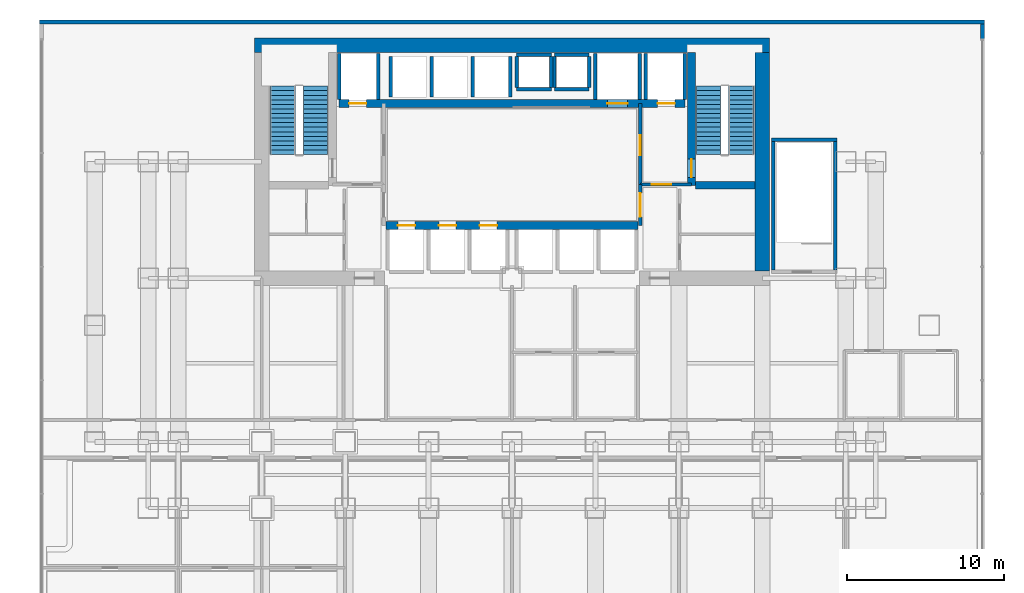
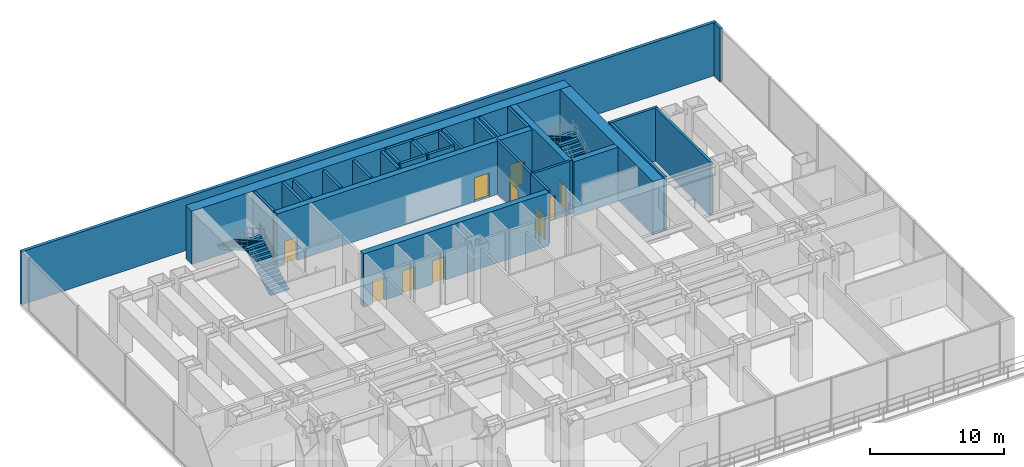
# One storey, part 10 of 12: 32 walls, 10 doors, 4 stair flights, 10 openings, 2 elements without a shape of their own.
"""IFC4 building model written with IfcOpenShell, lengths in metres."""

from ifc_helpers import new_model, si_unit, direction, frame, frame_2d, origin, place, context, subcontext, project, spatial, polyline, rectangle, outline, extrude, material, layer, layer_set, type_object, element, fill, aggregate, save


model = new_model("IFC4")

# Units and contexts
model_context = context("Model", 3, precision=1e-05, world=origin(), true_north=direction((0.0, 1.0)))
body_context = subcontext(model_context, "Body", "Model", "MODEL_VIEW")
ifc_project = project(units=[si_unit("LENGTHUNIT", "METRE"), si_unit("AREAUNIT", "SQUARE_METRE"), si_unit("VOLUMEUNIT", "CUBIC_METRE"), si_unit("PLANEANGLEUNIT", "RADIAN"), si_unit("MASSUNIT", "GRAM", prefix="KILO")], contexts=[model_context])

# Site, building, storey
site_placement = place(None, origin())
site = spatial("IfcSite", under=ifc_project, at=site_placement, CompositionType="ELEMENT")
building_placement = place(site_placement, origin())
building = spatial("IfcBuilding", under=site, at=building_placement, Name="Qianlan Lanfeng Residences", CompositionType="ELEMENT")
storey_placement = place(building_placement, frame((0.0, 0.0, 19.0)))
storey = spatial("IfcBuildingStorey", under=building, at=storey_placement, Name="L04", CompositionType="ELEMENT", Elevation=19.0)

# Wall, opening, door
ifc_material_1 = material(Name="Concrete C70", Category="concrete")
ifc_layer_1 = layer(ifc_material_1, 0.5)
ifc_layer_set_1 = layer_set([ifc_layer_1], Name="Concrete C70")
wall_type_1 = type_object("IfcWallType", Name="CW-RC-500", PredefinedType="SHEAR", material=ifc_layer_set_1)
wall_1_placement = place(storey_placement, frame((37.89990234375, 31.10009765625, 0.0), z_axis=(0.0, 0.0, 1.0), x_axis=(0.0, 1.0, 0.0)))
wall_1 = element("IfcWall", 1, at=wall_1_placement, inside=storey, type_object=wall_type_1, Name="L04 Core Shear Wall ST2W", PredefinedType="SHEAR", context=body_context, shape_type="SweptSolid", body=[
    extrude(rectangle(XDim=8.449951171875, YDim=0.5, at=frame_2d((4.22509765625, 0.0))), origin(), (0.0, 0.0, 1.0), 4.860107421875),
])
opening_1_placement = place(wall_1_placement, frame((0.510009765625, 0.0, 0.0)))
opening_1 = element("IfcOpeningElement", 2, at=opening_1_placement, cuts=wall_1, Name="Opening L04-D08", PredefinedType="OPENING", context=body_context, shape_type="SweptSolid", body=[
    extrude(rectangle(XDim=1.14990234375, YDim=2.199951171875, at=frame_2d((0.574951171875, 1.10009765625))), frame((0.0, 0.260009765625, 0.0), z_axis=(0.0, -1.0, 0.0), x_axis=(1.0, 0.0, 0.0)), (0.0, 0.0, 1.0), 0.52001953125),
])
ifc_material_2 = material(Name="Painted Galvanised Steel Fire Door", Category="steel")
door_type_1 = type_object("IfcDoorType", Name="DT-ST1", OperationType="NOTDEFINED", PredefinedType="DOOR", material=ifc_material_2)
door_1_placement = place(opening_1_placement, origin())
door_1 = element("IfcDoor", 3, at=door_1_placement, inside=storey, type_object=door_type_1, Name="L04 Exit Stair ST-2 Door L04-D08 (DT-ST1)", OperationType="SINGLE_SWING_RIGHT", OverallHeight=2.199951171875, OverallWidth=1.14990234375, PredefinedType="DOOR", context=body_context, shape_type="SweptSolid", body=[
    extrude(rectangle(XDim=1.14990234375, YDim=2.199951171875, at=frame_2d((0.574951171875, 1.10009765625))), frame((0.0, 0.02490234375, 0.0), z_axis=(0.0, -1.0, 0.0), x_axis=(1.0, 0.0, 0.0)), (0.0, 0.0, 1.0), 0.050048828125),
])
fill(opening_1, door_1)

# Wall
wall_2_placement = place(storey_placement, frame((38.14990234375, 31.10009765625, 0.0), z_axis=(0.0, 0.0, 1.0), x_axis=(1.0, 0.0, 0.0)))
element("IfcWall", 4, at=wall_2_placement, inside=storey, type_object=wall_type_1, Name="L04 Core Shear Wall ST2S", PredefinedType="SHEAR", context=body_context, shape_type="SweptSolid", body=[
    extrude(rectangle(XDim=3.800048828125, YDim=0.5, at=frame_2d((1.89990234375, 0.0))), origin(), (0.0, 0.0, 1.0), 4.860107421875),
])

# Wall, openings, doors
wall_3_placement = place(storey_placement, frame((15.5, 36.300048828125, 0.0), z_axis=(0.0, 0.0, 1.0), x_axis=(1.0, 0.0, 0.0)))
wall_3 = element("IfcWall", 5, at=wall_3_placement, inside=storey, type_object=wall_type_1, Name="L04 Core Shear Wall LBN", PredefinedType="SHEAR", context=body_context, shape_type="SweptSolid", body=[
    extrude(rectangle(XDim=22.0, YDim=0.5, at=frame_2d((11.0, 0.0))), origin(), (0.0, 0.0, 1.0), 4.860107421875),
])
opening_2_placement = place(wall_3_placement, frame((0.64990234375, 0.0, 0.0)))
opening_2 = element("IfcOpeningElement", 6, at=opening_2_placement, cuts=wall_3, Name="Opening L04-LD-FFL-1", PredefinedType="OPENING", context=body_context, shape_type="SweptSolid", body=[
    extrude(rectangle(XDim=1.10009765625, YDim=2.14990234375, at=frame_2d((0.550048828125, 1.074951171875))), frame((0.0, 0.260009765625, 0.0), z_axis=(0.0, -1.0, 0.0), x_axis=(1.0, 0.0, 0.0)), (0.0, 0.0, 1.0), 0.52001953125),
])
opening_3_placement = place(wall_3_placement, frame((20.25, 0.0, 0.0)))
opening_3 = element("IfcOpeningElement", 7, at=opening_3_placement, cuts=wall_3, Name="Opening L04-LD-FFL-2", PredefinedType="OPENING", context=body_context, shape_type="SweptSolid", body=[
    extrude(rectangle(XDim=1.10009765625, YDim=2.14990234375, at=frame_2d((0.550048828125, 1.074951171875))), frame((0.0, 0.260009765625, 0.0), z_axis=(0.0, -1.0, 0.0), x_axis=(1.0, 0.0, 0.0)), (0.0, 0.0, 1.0), 0.52001953125),
])
opening_4_placement = place(wall_3_placement, frame((17.050048828125, 0.0, 0.0)))
opening_4 = element("IfcOpeningElement", 8, at=opening_4_placement, cuts=wall_3, Name="Opening L04-LD-SVL-1", PredefinedType="OPENING", context=body_context, shape_type="SweptSolid", body=[
    extrude(rectangle(XDim=1.300048828125, YDim=2.199951171875, at=frame_2d((0.64990234375, 1.10009765625))), frame((0.0, 0.260009765625, 0.0), z_axis=(0.0, -1.0, 0.0), x_axis=(1.0, 0.0, 0.0)), (0.0, 0.0, 1.0), 0.52001953125),
])
ifc_material_3 = material(Name="Brushed Stainless Steel Sliding Lift Door", Category="steel")
door_type_2 = type_object("IfcDoorType", Name="LD-01", OperationType="NOTDEFINED", PredefinedType="DOOR", material=ifc_material_3)
door_2_placement = place(opening_2_placement, frame((1.10009765625, 0.0, 0.0), z_axis=(0.0, 0.0, 1.0), x_axis=(-1.0, 0.0, 0.0)))
door_2 = element("IfcDoor", 9, at=door_2_placement, inside=storey, type_object=door_type_2, Name="L04 Elevator FFL-1 Sliding Landing Door", OperationType="DOUBLE_DOOR_SLIDING", OverallHeight=2.14990234375, OverallWidth=1.10009765625, PredefinedType="DOOR", context=body_context, shape_type="SweptSolid", body=[
    extrude(rectangle(XDim=1.10009765625, YDim=2.14990234375, at=frame_2d((0.550048828125, 1.074951171875))), frame((0.0, 0.02490234375, 0.0), z_axis=(0.0, -1.0, 0.0), x_axis=(1.0, 0.0, 0.0)), (0.0, 0.0, 1.0), 0.050048828125),
])
fill(opening_2, door_2)
door_3_placement = place(opening_3_placement, frame((1.10009765625, 0.0, 0.0), z_axis=(0.0, 0.0, 1.0), x_axis=(-1.0, 0.0, 0.0)))
door_3 = element("IfcDoor", 10, at=door_3_placement, inside=storey, type_object=door_type_2, Name="L04 Elevator FFL-2 Sliding Landing Door", OperationType="DOUBLE_DOOR_SLIDING", OverallHeight=2.14990234375, OverallWidth=1.10009765625, PredefinedType="DOOR", context=body_context, shape_type="SweptSolid", body=[
    extrude(rectangle(XDim=1.10009765625, YDim=2.14990234375, at=frame_2d((0.550048828125, 1.074951171875))), frame((0.0, 0.02490234375, 0.0), z_axis=(0.0, -1.0, 0.0), x_axis=(1.0, 0.0, 0.0)), (0.0, 0.0, 1.0), 0.050048828125),
])
fill(opening_3, door_3)
door_type_3 = type_object("IfcDoorType", Name="LD-02", OperationType="NOTDEFINED", PredefinedType="DOOR", material=ifc_material_3)
door_4_placement = place(opening_4_placement, frame((1.300048828125, 0.0, 0.0), z_axis=(0.0, 0.0, 1.0), x_axis=(-1.0, 0.0, 0.0)))
door_4 = element("IfcDoor", 11, at=door_4_placement, inside=storey, type_object=door_type_3, Name="L04 Elevator SVL-1 Sliding Landing Door", OperationType="DOUBLE_DOOR_SLIDING", OverallHeight=2.199951171875, OverallWidth=1.300048828125, PredefinedType="DOOR", context=body_context, shape_type="SweptSolid", body=[
    extrude(rectangle(XDim=1.300048828125, YDim=2.199951171875, at=frame_2d((0.64990234375, 1.10009765625))), frame((0.0, 0.02490234375, 0.0), z_axis=(0.0, -1.0, 0.0), x_axis=(1.0, 0.0, 0.0)), (0.0, 0.0, 1.0), 0.050048828125),
])
fill(opening_4, door_4)

wall_4_placement = place(storey_placement, frame((18.5, 28.550048828125, 0.0), z_axis=(0.0, 0.0, 1.0), x_axis=(1.0, 0.0, 0.0)))
wall_4 = element("IfcWall", 12, at=wall_4_placement, inside=storey, type_object=wall_type_1, Name="L04 Core Shear Wall LBS", PredefinedType="SHEAR", context=body_context, shape_type="SweptSolid", body=[
    extrude(rectangle(XDim=16.0, YDim=0.5, at=frame_2d((8.0, 0.0))), origin(), (0.0, 0.0, 1.0), 4.860107421875),
])
opening_5_placement = place(wall_4_placement, frame((0.75, 0.0, 0.0)))
opening_5 = element("IfcOpeningElement", 13, at=opening_5_placement, cuts=wall_4, Name="Opening L04-LD-PL-L1", PredefinedType="OPENING", context=body_context, shape_type="SweptSolid", body=[
    extrude(rectangle(XDim=1.10009765625, YDim=2.14990234375, at=frame_2d((0.550048828125, 1.074951171875))), frame((0.0, 0.260009765625, 0.0), z_axis=(0.0, -1.0, 0.0), x_axis=(1.0, 0.0, 0.0)), (0.0, 0.0, 1.0), 0.52001953125),
])
opening_6_placement = place(wall_4_placement, frame((3.35009765625, 0.0, 0.0)))
opening_6 = element("IfcOpeningElement", 14, at=opening_6_placement, cuts=wall_4, Name="Opening L04-LD-PL-L2", PredefinedType="OPENING", context=body_context, shape_type="SweptSolid", body=[
    extrude(rectangle(XDim=1.10009765625, YDim=2.14990234375, at=frame_2d((0.550048828125, 1.074951171875))), frame((0.0, 0.260009765625, 0.0), z_axis=(0.0, -1.0, 0.0), x_axis=(1.0, 0.0, 0.0)), (0.0, 0.0, 1.0), 0.52001953125),
])
opening_7_placement = place(wall_4_placement, frame((5.949951171875, 0.0, 0.0)))
opening_7 = element("IfcOpeningElement", 15, at=opening_7_placement, cuts=wall_4, Name="Opening L04-LD-PL-L3", PredefinedType="OPENING", context=body_context, shape_type="SweptSolid", body=[
    extrude(rectangle(XDim=1.10009765625, YDim=2.14990234375, at=frame_2d((0.550048828125, 1.074951171875))), frame((0.0, 0.260009765625, 0.0), z_axis=(0.0, -1.0, 0.0), x_axis=(1.0, 0.0, 0.0)), (0.0, 0.0, 1.0), 0.52001953125),
])
door_5_placement = place(opening_5_placement, origin())
door_5 = element("IfcDoor", 16, at=door_5_placement, inside=storey, type_object=door_type_2, Name="L04 Elevator PL-L1 Sliding Landing Door", OperationType="DOUBLE_DOOR_SLIDING", OverallHeight=2.14990234375, OverallWidth=1.10009765625, PredefinedType="DOOR", context=body_context, shape_type="SweptSolid", body=[
    extrude(rectangle(XDim=1.10009765625, YDim=2.14990234375, at=frame_2d((0.550048828125, 1.074951171875))), frame((0.0, 0.02490234375, 0.0), z_axis=(0.0, -1.0, 0.0), x_axis=(1.0, 0.0, 0.0)), (0.0, 0.0, 1.0), 0.050048828125),
])
fill(opening_5, door_5)
door_6_placement = place(opening_6_placement, origin())
door_6 = element("IfcDoor", 17, at=door_6_placement, inside=storey, type_object=door_type_2, Name="L04 Elevator PL-L2 Sliding Landing Door", OperationType="DOUBLE_DOOR_SLIDING", OverallHeight=2.14990234375, OverallWidth=1.10009765625, PredefinedType="DOOR", context=body_context, shape_type="SweptSolid", body=[
    extrude(rectangle(XDim=1.10009765625, YDim=2.14990234375, at=frame_2d((0.550048828125, 1.074951171875))), frame((0.0, 0.02490234375, 0.0), z_axis=(0.0, -1.0, 0.0), x_axis=(1.0, 0.0, 0.0)), (0.0, 0.0, 1.0), 0.050048828125),
])
fill(opening_6, door_6)
door_7_placement = place(opening_7_placement, origin())
door_7 = element("IfcDoor", 18, at=door_7_placement, inside=storey, type_object=door_type_2, Name="L04 Elevator PL-L3 Sliding Landing Door", OperationType="DOUBLE_DOOR_SLIDING", OverallHeight=2.14990234375, OverallWidth=1.10009765625, PredefinedType="DOOR", context=body_context, shape_type="SweptSolid", body=[
    extrude(rectangle(XDim=1.10009765625, YDim=2.14990234375, at=frame_2d((0.550048828125, 1.074951171875))), frame((0.0, 0.02490234375, 0.0), z_axis=(0.0, -1.0, 0.0), x_axis=(1.0, 0.0, 0.0)), (0.0, 0.0, 1.0), 0.050048828125),
])
fill(opening_7, door_7)

# Walls
ifc_layer_2 = layer(ifc_material_1, 0.89990234375)
ifc_layer_set_2 = layer_set([ifc_layer_2], Name="Concrete C70")
wall_type_2 = type_object("IfcWallType", Name="CW-RC-900", PredefinedType="SHEAR", material=ifc_layer_set_2)
wall_5_placement = place(storey_placement, frame((10.14990234375, 40.0, 0.0), z_axis=(0.0, 0.0, 1.0), x_axis=(1.0, 0.0, 0.0)))
element("IfcWall", 19, at=wall_5_placement, inside=storey, type_object=wall_type_2, Name="L04 Core Shear Wall N", PredefinedType="SHEAR", context=body_context, shape_type="SweptSolid", body=[
    extrude(rectangle(XDim=32.7001953125, YDim=0.89990234375, at=frame_2d((16.35009765625, 0.0))), origin(), (0.0, 0.0, 1.0), 4.860107421875),
])
wall_6_placement = place(storey_placement, frame((42.39990234375, 25.64990234375, 0.0), z_axis=(0.0, 0.0, 1.0), x_axis=(0.0, 1.0, 0.0)))
element("IfcWall", 20, at=wall_6_placement, inside=storey, type_object=wall_type_2, Name="L04 Core Shear Wall E", PredefinedType="SHEAR", context=body_context, shape_type="SweptSolid", body=[
    extrude(rectangle(XDim=13.900146484375, YDim=0.89990234375, at=frame_2d((6.9501953125, 0.0))), origin(), (0.0, 0.0, 1.0), 4.860107421875),
])
ifc_material_4 = material(Name="Concrete C42", Category="concrete")
ifc_layer_3 = layer(ifc_material_4, 0.239990234375)
ifc_layer_set_3 = layer_set([ifc_layer_3], Name="Concrete C42")
wall_type_3 = type_object("IfcWallType", Name="EW-240", PredefinedType="SOLIDWALL", material=ifc_layer_set_3)
wall_7_placement = place(storey_placement, frame((56.3798828125, 40.39990234375, 0.0), z_axis=(0.0, 0.0, 1.0), x_axis=(0.0, 1.0, 0.0)))
element("IfcWall", 21, at=wall_7_placement, inside=storey, type_object=wall_type_3, Name="L04 NE Corner Pier", PredefinedType="SOLIDWALL", context=body_context, shape_type="SweptSolid", body=[
    extrude(rectangle(XDim=0.940185546875, YDim=0.239990234375, at=frame_2d((0.47021484375, 0.0))), origin(), (0.0, 0.0, 1.0), 4.860107421875),
])
ifc_layer_4 = layer(ifc_material_4, 0.260009765625)
ifc_layer_set_4 = layer_set([ifc_layer_4], Name="Concrete C42")
wall_type_4 = type_object("IfcWallType", Name="EW-260", PredefinedType="SOLIDWALL", material=ifc_layer_set_4)
wall_8_placement = place(storey_placement, frame((56.5, 41.469970703125, 0.0), z_axis=(0.0, 0.0, 1.0), x_axis=(-1.0, 0.0, 0.0)))
element("IfcWall", 22, at=wall_8_placement, inside=storey, type_object=wall_type_4, Name="L04 North Exterior Wall", PredefinedType="SOLIDWALL", context=body_context, shape_type="SweptSolid", body=[
    extrude(rectangle(XDim=60.0, YDim=0.260009765625, at=frame_2d((30.0, 0.0))), origin(), (0.0, 0.0, 1.0), 4.860107421875),
])

# Wall, opening, door
ifc_material_5 = material(Name="Autoclaved Aerated Concrete Blockwork 200 mm", Category="masonry")
ifc_layer_5 = layer(ifc_material_5, 0.199951171875)
ifc_layer_set_5 = layer_set([ifc_layer_5], Name="Autoclaved Aerated Concrete Blockwork 200 mm")
wall_type_5 = type_object("IfcWallType", Name="PW-200", PredefinedType="PARTITIONING", material=ifc_layer_set_5)
wall_9_placement = place(storey_placement, frame((34.64990234375, 31.14990234375, 0.0), z_axis=(0.0, 0.0, 1.0), x_axis=(1.0, 0.0, 0.0)))
wall_9 = element("IfcWall", 23, at=wall_9_placement, inside=storey, type_object=wall_type_5, Name="L04 Firefighting Lobby 2 South Wall", PredefinedType="PARTITIONING", context=body_context, shape_type="SweptSolid", body=[
    extrude(rectangle(XDim=3.25, YDim=0.199951171875, at=frame_2d((1.625, 0.0))), origin(), (0.0, 0.0, 1.0), 4.860107421875),
])
opening_8_placement = place(wall_9_placement, frame((0.72509765625, 0.0, 0.0)))
opening_8 = element("IfcOpeningElement", 24, at=opening_8_placement, cuts=wall_9, Name="Opening L04-D05", PredefinedType="OPENING", context=body_context, shape_type="SweptSolid", body=[
    extrude(rectangle(XDim=1.25, YDim=2.199951171875, at=frame_2d((0.625, 1.10009765625))), frame((0.0, 0.10986328125, 0.0), z_axis=(0.0, -1.0, 0.0), x_axis=(1.0, 0.0, 0.0)), (0.0, 0.0, 1.0), 0.219970703125),
])
door_type_4 = type_object("IfcDoorType", Name="DT-FFL", OperationType="NOTDEFINED", PredefinedType="DOOR", material=ifc_material_2)
door_8_placement = place(opening_8_placement, origin())
door_8 = element("IfcDoor", 25, at=door_8_placement, inside=storey, type_object=door_type_4, Name="L04 Firefighting Lobby 2 Entry Door L04-D05 (DT-FFL)", OperationType="SINGLE_SWING_RIGHT", OverallHeight=2.199951171875, OverallWidth=1.25, PredefinedType="DOOR", context=body_context, shape_type="SweptSolid", body=[
    extrude(rectangle(XDim=1.25, YDim=2.199951171875, at=frame_2d((0.625, 1.10009765625))), frame((0.0, 0.02490234375, 0.0), z_axis=(0.0, -1.0, 0.0), x_axis=(1.0, 0.0, 0.0)), (0.0, 0.0, 1.0), 0.050048828125),
])
fill(opening_8, door_8)

wall_10_placement = place(storey_placement, frame((34.64990234375, 31.14990234375, 0.0), z_axis=(0.0, 0.0, 1.0), x_axis=(0.0, 1.0, 0.0)))
wall_10 = element("IfcWall", 26, at=wall_10_placement, inside=storey, type_object=wall_type_5, Name="L04 Firefighting Lobby 2 West Wall", PredefinedType="PARTITIONING", context=body_context, shape_type="SweptSolid", body=[
    extrude(rectangle(XDim=5.150146484375, YDim=0.199951171875, at=frame_2d((2.5751953125, 0.0))), origin(), (0.0, 0.0, 1.0), 4.860107421875),
])
opening_9_placement = place(wall_10_placement, frame((1.875, 0.0, 0.0)))
opening_9 = element("IfcOpeningElement", 27, at=opening_9_placement, cuts=wall_10, Name="Opening L04-D06", PredefinedType="OPENING", context=body_context, shape_type="SweptSolid", body=[
    extrude(rectangle(XDim=1.25, YDim=2.199951171875, at=frame_2d((0.625, 1.10009765625))), frame((0.0, 0.10986328125, 0.0), z_axis=(0.0, -1.0, 0.0), x_axis=(1.0, 0.0, 0.0)), (0.0, 0.0, 1.0), 0.219970703125),
])
door_9_placement = place(opening_9_placement, origin())
door_9 = element("IfcDoor", 28, at=door_9_placement, inside=storey, type_object=door_type_4, Name="L04 Firefighting Lobby 2 Lift Lobby Door L04-D06 (DT-FFL)", OperationType="SINGLE_SWING_RIGHT", OverallHeight=2.199951171875, OverallWidth=1.25, PredefinedType="DOOR", context=body_context, shape_type="SweptSolid", body=[
    extrude(rectangle(XDim=1.25, YDim=2.199951171875, at=frame_2d((0.625, 1.10009765625))), frame((0.0, 0.02490234375, 0.0), z_axis=(0.0, -1.0, 0.0), x_axis=(1.0, 0.0, 0.0)), (0.0, 0.0, 1.0), 0.050048828125),
])
fill(opening_9, door_9)

wall_11_placement = place(storey_placement, frame((34.64990234375, 28.550048828125, 0.0), z_axis=(0.0, 0.0, 1.0), x_axis=(0.0, 1.0, 0.0)))
wall_11 = element("IfcWall", 29, at=wall_11_placement, inside=storey, type_object=wall_type_5, Name="L04 Lift Lobby East Connector Wall", PredefinedType="PARTITIONING", context=body_context, shape_type="SweptSolid", body=[
    extrude(rectangle(XDim=2.599853515625, YDim=0.199951171875, at=frame_2d((1.2998046875, 0.0))), origin(), (0.0, 0.0, 1.0), 4.860107421875),
])
opening_10_placement = place(wall_11_placement, frame((0.550048828125, 0.0, 0.0)))
opening_10 = element("IfcOpeningElement", 30, at=opening_10_placement, cuts=wall_11, Name="Opening L04-D16", PredefinedType="OPENING", context=body_context, shape_type="SweptSolid", body=[
    extrude(rectangle(XDim=1.5, YDim=2.25, at=frame_2d((0.75, 1.125))), frame((0.0, 0.10986328125, 0.0), z_axis=(0.0, -1.0, 0.0), x_axis=(1.0, 0.0, 0.0)), (0.0, 0.0, 1.0), 0.219970703125),
])
ifc_material_6 = material(Name="Timber Veneer Acoustic Fire Door", Category="wood")
door_type_5 = type_object("IfcDoorType", Name="DT-COR1", OperationType="NOTDEFINED", PredefinedType="DOOR", material=ifc_material_6)
door_10_placement = place(opening_10_placement, frame((1.5, 0.0, 0.0), z_axis=(0.0, 0.0, 1.0), x_axis=(-1.0, 0.0, 0.0)))
door_10 = element("IfcDoor", 31, at=door_10_placement, inside=storey, type_object=door_type_5, Name="L04 Lift Lobby East Portal Door L04-D16 (DT-COR1)", OperationType="DOUBLE_DOOR_SINGLE_SWING", OverallHeight=2.25, OverallWidth=1.5, PredefinedType="DOOR", context=body_context, shape_type="SweptSolid", body=[
    extrude(rectangle(XDim=1.5, YDim=2.25, at=frame_2d((0.75, 1.125))), frame((0.0, 0.02490234375, 0.0), z_axis=(0.0, -1.0, 0.0), x_axis=(1.0, 0.0, 0.0)), (0.0, 0.0, 1.0), 0.050048828125),
])
fill(opening_10, door_10)

# Walls
ifc_material_7 = material(Name="Concrete C49", Category="concrete")
ifc_layer_6 = layer(ifc_material_7, 0.219970703125)
ifc_layer_set_6 = layer_set([ifc_layer_6], Name="Concrete C49")
wall_type_6 = type_object("IfcWallType", Name="SHW-220", PredefinedType="SOLIDWALL", material=ifc_layer_set_6)
for number, where, z_axis, x_axis, name in (
    (32, (15.52001953125, 36.550048828125, 0.0), (0.0, 0.0, 1.0), (0.0, 1.0, 0.0), "L04 Lift FFL-1 Shaft Wall W"),
    (33, (18.0, 36.550048828125, 0.0), (0.0, 0.0, 1.0), (0.0, 1.0, 0.0), "L04 Lift FFL-1 Shaft Wall E"),
    (34, (35.0, 36.550048828125, 0.0), (0.0, 0.0, 1.0), (0.0, 1.0, 0.0), "L04 Lift FFL-2 Shaft Wall W"),
    (35, (37.47998046875, 36.550048828125, 0.0), (0.0, 0.0, 1.0), (0.0, 1.0, 0.0), "L04 Lift FFL-2 Shaft Wall E"),
    (36, (31.800048828125, 36.550048828125, 0.0), (0.0, 0.0, 1.0), (0.0, 1.0, 0.0), "L04 Lift SVL-1 Shaft Wall W"),
    (37, (34.60009765625, 36.550048828125, 0.0), (0.0, 0.0, 1.0), (0.0, 1.0, 0.0), "L04 Lift SVL-1 Shaft Wall E"),
):
    element("IfcWall", number, at=place(storey_placement, frame(where, z_axis=z_axis, x_axis=x_axis)), inside=storey, type_object=wall_type_6, Name=name, PredefinedType="SOLIDWALL", context=body_context, shape_type="SweptSolid", body=[
        extrude(rectangle(XDim=2.929931640625, YDim=0.219970703125, at=frame_2d((1.46484375, 0.0))), origin(), (0.0, 0.0, 1.0), 4.860107421875),
    ])
for number, where, z_axis, x_axis, name in (
    (38, (18.800048828125, 36.719970703125, 0.0), (0.0, 0.0, 1.0), (0.0, 1.0, 0.0), "L04 Lift PL-H1 Shaft Wall W"),
    (39, (21.39990234375, 36.719970703125, 0.0), (0.0, 0.0, 1.0), (0.0, 1.0, 0.0), "L04 Lift PL-H2 Shaft Wall W"),
    (40, (24.0, 36.719970703125, 0.0), (0.0, 0.0, 1.0), (0.0, 1.0, 0.0), "L04 Lift PL-H3 Shaft Wall W"),
    (41, (26.39990234375, 36.719970703125, 0.0), (0.0, 0.0, 1.0), (0.0, 1.0, 0.0), "L04 Lift PL-H3 Shaft Wall E"),
):
    element("IfcWall", number, at=place(storey_placement, frame(where, z_axis=z_axis, x_axis=x_axis)), inside=storey, type_object=wall_type_6, Name=name, PredefinedType="SOLIDWALL", context=body_context, shape_type="SweptSolid", body=[
        extrude(rectangle(XDim=2.56005859375, YDim=0.219970703125, at=frame_2d((1.280029296875, 0.0))), origin(), (0.0, 0.0, 1.0), 4.860107421875),
    ])
for number, where, z_axis, x_axis, name in (
    (42, (26.800048828125, 37.31005859375, 0.0), (0.0, 0.0, 1.0), (0.0, 1.0, 0.0), "L04 MEP Riser MEP-R1 Shaft Wall W"),
    (43, (29.0, 37.31005859375, 0.0), (0.0, 0.0, 1.0), (0.0, 1.0, 0.0), "L04 MEP Riser MEP-R1 Shaft Wall E"),
):
    element("IfcWall", number, at=place(storey_placement, frame(where, z_axis=z_axis, x_axis=x_axis)), inside=storey, type_object=wall_type_6, Name=name, PredefinedType="SOLIDWALL", context=body_context, shape_type="SweptSolid", body=[
        extrude(rectangle(XDim=1.97998046875, YDim=0.219970703125, at=frame_2d((0.989990234375, 0.0))), origin(), (0.0, 0.0, 1.0), 4.860107421875),
    ])
for number, where, z_axis, x_axis, name in (
    (44, (26.800048828125, 39.39990234375, 0.0), (0.0, 0.0, 1.0), (1.0, 0.0, 0.0), "L04 MEP Riser MEP-R1 Shaft Wall N"),
    (45, (26.800048828125, 37.199951171875, 0.0), (0.0, 0.0, 1.0), (1.0, 0.0, 0.0), "L04 MEP Riser MEP-R1 Shaft Wall S"),
):
    element("IfcWall", number, at=place(storey_placement, frame(where, z_axis=z_axis, x_axis=x_axis)), inside=storey, type_object=wall_type_6, Name=name, PredefinedType="SOLIDWALL", context=body_context, shape_type="SweptSolid", body=[
        extrude(rectangle(XDim=2.199951171875, YDim=0.219970703125, at=frame_2d((1.10009765625, 0.0))), origin(), (0.0, 0.0, 1.0), 4.860107421875),
    ])
for number, where, z_axis, x_axis, name in (
    (46, (29.199951171875, 37.31005859375, 0.0), (0.0, 0.0, 1.0), (0.0, 1.0, 0.0), "L04 MEP Riser MEP-R2 Shaft Wall W"),
    (47, (31.39990234375, 37.31005859375, 0.0), (0.0, 0.0, 1.0), (0.0, 1.0, 0.0), "L04 MEP Riser MEP-R2 Shaft Wall E"),
):
    element("IfcWall", number, at=place(storey_placement, frame(where, z_axis=z_axis, x_axis=x_axis)), inside=storey, type_object=wall_type_6, Name=name, PredefinedType="SOLIDWALL", context=body_context, shape_type="SweptSolid", body=[
        extrude(rectangle(XDim=1.97998046875, YDim=0.219970703125, at=frame_2d((0.989990234375, 0.0))), origin(), (0.0, 0.0, 1.0), 4.860107421875),
    ])
for number, where, z_axis, x_axis, name in (
    (48, (29.199951171875, 39.39990234375, 0.0), (0.0, 0.0, 1.0), (1.0, 0.0, 0.0), "L04 MEP Riser MEP-R2 Shaft Wall N"),
    (49, (29.199951171875, 37.199951171875, 0.0), (0.0, 0.0, 1.0), (1.0, 0.0, 0.0), "L04 MEP Riser MEP-R2 Shaft Wall S"),
):
    element("IfcWall", number, at=place(storey_placement, frame(where, z_axis=z_axis, x_axis=x_axis)), inside=storey, type_object=wall_type_6, Name=name, PredefinedType="SOLIDWALL", context=body_context, shape_type="SweptSolid", body=[
        extrude(rectangle(XDim=2.199951171875, YDim=0.219970703125, at=frame_2d((1.10009765625, 0.0))), origin(), (0.0, 0.0, 1.0), 4.860107421875),
    ])
ifc_layer_7 = layer(ifc_material_7, 0.219970703125)
ifc_layer_set_7 = layer_set([ifc_layer_7], Name="Concrete C49")
wall_type_7 = type_object("IfcWallType", Name="STW-RC-220", PredefinedType="SHEAR", material=ifc_layer_set_7)
wall_12_placement = place(storey_placement, frame((42.969970703125, 34.0, 0.0), z_axis=(0.0, 0.0, 1.0), x_axis=(1.0, 0.0, 0.0)))
element("IfcWall", 50, at=wall_12_placement, inside=storey, type_object=wall_type_7, Name="L04 Stair ST-P1 Enclosure Wall N", PredefinedType="SHEAR", context=body_context, shape_type="SweptSolid", body=[
    extrude(rectangle(XDim=4.159912109375, YDim=0.219970703125, at=frame_2d((2.080078125, 0.0))), origin(), (0.0, 0.0, 1.0), 4.860107421875),
])
for number, where, z_axis, x_axis, name in (
    (51, (43.080078125, 25.7099609375, 0.0), (0.0, 0.0, 1.0), (0.0, 1.0, 0.0), "L04 Stair ST-P1 Enclosure Wall W"),
    (52, (47.02001953125, 25.7099609375, 0.0), (0.0, 0.0, 1.0), (0.0, 1.0, 0.0), "L04 Stair ST-P1 Enclosure Wall E"),
):
    element("IfcWall", number, at=place(storey_placement, frame(where, z_axis=z_axis, x_axis=x_axis)), inside=storey, type_object=wall_type_7, Name=name, PredefinedType="SHEAR", context=body_context, shape_type="SweptSolid", body=[
        extrude(rectangle(XDim=8.179931640625, YDim=0.219970703125, at=frame_2d((4.08984375, 0.0))), origin(), (0.0, 0.0, 1.0), 4.860107421875),
    ])

# Stair, stair flights
stair_type = type_object("IfcStairType", Name="STR-MAIN", PredefinedType="HALF_TURN_STAIR", material=ifc_material_4)
stair_1_placement = place(storey_placement, origin())
stair_1 = element("IfcStair", 53, at=stair_1_placement, inside=storey, type_object=stair_type, Name="L04 Exit Stair ST-1", PredefinedType="HALF_TURN_STAIR")
stair_flight_type = type_object("IfcStairFlightType", Name="FLT-1720", PredefinedType="STRAIGHT", material=ifc_material_4)
stair_flight_1_placement = place(storey_placement, frame((14.02001953125, 33.050048828125, 0.0), z_axis=(0.0, 0.0, 1.0), x_axis=(0.0, 1.0, 0.0)))
stair_flight_1 = element("IfcStairFlight", 54, at=stair_flight_1_placement, type_object=stair_flight_type, Name="ST-1 flight 1", NumberOfRisers=16, NumberOfTreads=15, PredefinedType="STRAIGHT", RiserHeight=0.1625, TreadLength=0.29, context=body_context, shape_type="SweptSolid", body=[
    extrude(outline(polyline([(0.0, 0.0), (0.0, 0.16259765625), (0.2900390625, 0.16259765625), (0.2900390625, 0.324951171875), (0.580078125, 0.324951171875), (0.580078125, 0.487548828125), (0.8701171875, 0.487548828125), (0.8701171875, 0.64990234375), (1.159912109375, 0.64990234375), (1.159912109375, 0.8125), (1.449951171875, 0.8125), (1.449951171875, 0.97509765625), (1.739990234375, 0.97509765625), (1.739990234375, 1.137451171875), (2.030029296875, 1.137451171875), (2.030029296875, 1.300048828125), (2.320068359375, 1.300048828125), (2.320068359375, 1.46240234375), (2.610107421875, 1.46240234375), (2.610107421875, 1.625), (2.89990234375, 1.625), (2.89990234375, 1.78759765625), (3.18994140625, 1.78759765625), (3.18994140625, 1.949951171875), (3.47998046875, 1.949951171875), (3.47998046875, 2.112548828125), (3.77001953125, 2.112548828125), (3.77001953125, 2.27490234375), (4.06005859375, 2.27490234375), (4.06005859375, 2.4375), (4.35009765625, 2.4375), (4.35009765625, 2.60009765625), (4.35009765625, 2.231201171875), (0.3681640625, 0.0), (0.0, 0.0)])), frame((0.0, 0.800048828125, 0.0), z_axis=(0.0, -1.0, 0.0), x_axis=(1.0, 0.0, 0.0)), (0.0, 0.0, 1.0), 1.60009765625),
])
stair_flight_2_placement = place(storey_placement, frame((11.93994140625, 37.39990234375, 2.60009765625), z_axis=(0.0, 0.0, 1.0), x_axis=(0.0, -1.0, 0.0)))
stair_flight_2 = element("IfcStairFlight", 55, at=stair_flight_2_placement, type_object=stair_flight_type, Name="ST-1 flight 2", NumberOfRisers=16, NumberOfTreads=15, PredefinedType="STRAIGHT", RiserHeight=0.1625, TreadLength=0.29, context=body_context, shape_type="SweptSolid", body=[
    extrude(outline(polyline([(0.0, 0.0), (0.0, 0.16259765625), (0.2900390625, 0.16259765625), (0.2900390625, 0.324951171875), (0.580078125, 0.324951171875), (0.580078125, 0.487548828125), (0.8701171875, 0.487548828125), (0.8701171875, 0.64990234375), (1.159912109375, 0.64990234375), (1.159912109375, 0.8125), (1.449951171875, 0.8125), (1.449951171875, 0.97509765625), (1.739990234375, 0.97509765625), (1.739990234375, 1.137451171875), (2.030029296875, 1.137451171875), (2.030029296875, 1.300048828125), (2.320068359375, 1.300048828125), (2.320068359375, 1.46240234375), (2.610107421875, 1.46240234375), (2.610107421875, 1.625), (2.89990234375, 1.625), (2.89990234375, 1.78759765625), (3.18994140625, 1.78759765625), (3.18994140625, 1.949951171875), (3.47998046875, 1.949951171875), (3.47998046875, 2.112548828125), (3.77001953125, 2.112548828125), (3.77001953125, 2.27490234375), (4.06005859375, 2.27490234375), (4.06005859375, 2.4375), (4.35009765625, 2.4375), (4.35009765625, 2.60009765625), (4.35009765625, 2.231201171875), (0.3681640625, 0.0), (0.0, 0.0)])), frame((0.0, 0.800048828125, 0.0), z_axis=(0.0, -1.0, 0.0), x_axis=(1.0, 0.0, 0.0)), (0.0, 0.0, 1.0), 1.60009765625),
])
aggregate(stair_1, [stair_flight_1, stair_flight_2])

stair_2_placement = place(storey_placement, origin())
stair_2 = element("IfcStair", 56, at=stair_2_placement, inside=storey, type_object=stair_type, Name="L04 Exit Stair ST-2", PredefinedType="HALF_TURN_STAIR")
stair_flight_3_placement = place(storey_placement, frame((41.06005859375, 33.050048828125, 0.0), z_axis=(0.0, 0.0, 1.0), x_axis=(0.0, 1.0, 0.0)))
stair_flight_3 = element("IfcStairFlight", 57, at=stair_flight_3_placement, type_object=stair_flight_type, Name="ST-2 flight 1", NumberOfRisers=16, NumberOfTreads=15, PredefinedType="STRAIGHT", RiserHeight=0.1625, TreadLength=0.29, context=body_context, shape_type="SweptSolid", body=[
    extrude(outline(polyline([(0.0, 0.0), (0.0, 0.16259765625), (0.2900390625, 0.16259765625), (0.2900390625, 0.324951171875), (0.580078125, 0.324951171875), (0.580078125, 0.487548828125), (0.8701171875, 0.487548828125), (0.8701171875, 0.64990234375), (1.159912109375, 0.64990234375), (1.159912109375, 0.8125), (1.449951171875, 0.8125), (1.449951171875, 0.97509765625), (1.739990234375, 0.97509765625), (1.739990234375, 1.137451171875), (2.030029296875, 1.137451171875), (2.030029296875, 1.300048828125), (2.320068359375, 1.300048828125), (2.320068359375, 1.46240234375), (2.610107421875, 1.46240234375), (2.610107421875, 1.625), (2.89990234375, 1.625), (2.89990234375, 1.78759765625), (3.18994140625, 1.78759765625), (3.18994140625, 1.949951171875), (3.47998046875, 1.949951171875), (3.47998046875, 2.112548828125), (3.77001953125, 2.112548828125), (3.77001953125, 2.27490234375), (4.06005859375, 2.27490234375), (4.06005859375, 2.4375), (4.35009765625, 2.4375), (4.35009765625, 2.60009765625), (4.35009765625, 2.231201171875), (0.3681640625, 0.0), (0.0, 0.0)])), frame((0.0, 0.800048828125, 0.0), z_axis=(0.0, -1.0, 0.0), x_axis=(1.0, 0.0, 0.0)), (0.0, 0.0, 1.0), 1.60009765625),
])
stair_flight_4_placement = place(storey_placement, frame((38.97998046875, 37.39990234375, 2.60009765625), z_axis=(0.0, 0.0, 1.0), x_axis=(0.0, -1.0, 0.0)))
stair_flight_4 = element("IfcStairFlight", 58, at=stair_flight_4_placement, type_object=stair_flight_type, Name="ST-2 flight 2", NumberOfRisers=16, NumberOfTreads=15, PredefinedType="STRAIGHT", RiserHeight=0.1625, TreadLength=0.29, context=body_context, shape_type="SweptSolid", body=[
    extrude(outline(polyline([(0.0, 0.0), (0.0, 0.16259765625), (0.2900390625, 0.16259765625), (0.2900390625, 0.324951171875), (0.580078125, 0.324951171875), (0.580078125, 0.487548828125), (0.8701171875, 0.487548828125), (0.8701171875, 0.64990234375), (1.159912109375, 0.64990234375), (1.159912109375, 0.8125), (1.449951171875, 0.8125), (1.449951171875, 0.97509765625), (1.739990234375, 0.97509765625), (1.739990234375, 1.137451171875), (2.030029296875, 1.137451171875), (2.030029296875, 1.300048828125), (2.320068359375, 1.300048828125), (2.320068359375, 1.46240234375), (2.610107421875, 1.46240234375), (2.610107421875, 1.625), (2.89990234375, 1.625), (2.89990234375, 1.78759765625), (3.18994140625, 1.78759765625), (3.18994140625, 1.949951171875), (3.47998046875, 1.949951171875), (3.47998046875, 2.112548828125), (3.77001953125, 2.112548828125), (3.77001953125, 2.27490234375), (4.06005859375, 2.27490234375), (4.06005859375, 2.4375), (4.35009765625, 2.4375), (4.35009765625, 2.60009765625), (4.35009765625, 2.231201171875), (0.3681640625, 0.0), (0.0, 0.0)])), frame((0.0, 0.800048828125, 0.0), z_axis=(0.0, -1.0, 0.0), x_axis=(1.0, 0.0, 0.0)), (0.0, 0.0, 1.0), 1.60009765625),
])
aggregate(stair_2, [stair_flight_3, stair_flight_4])

save(model, "model.ifc")
